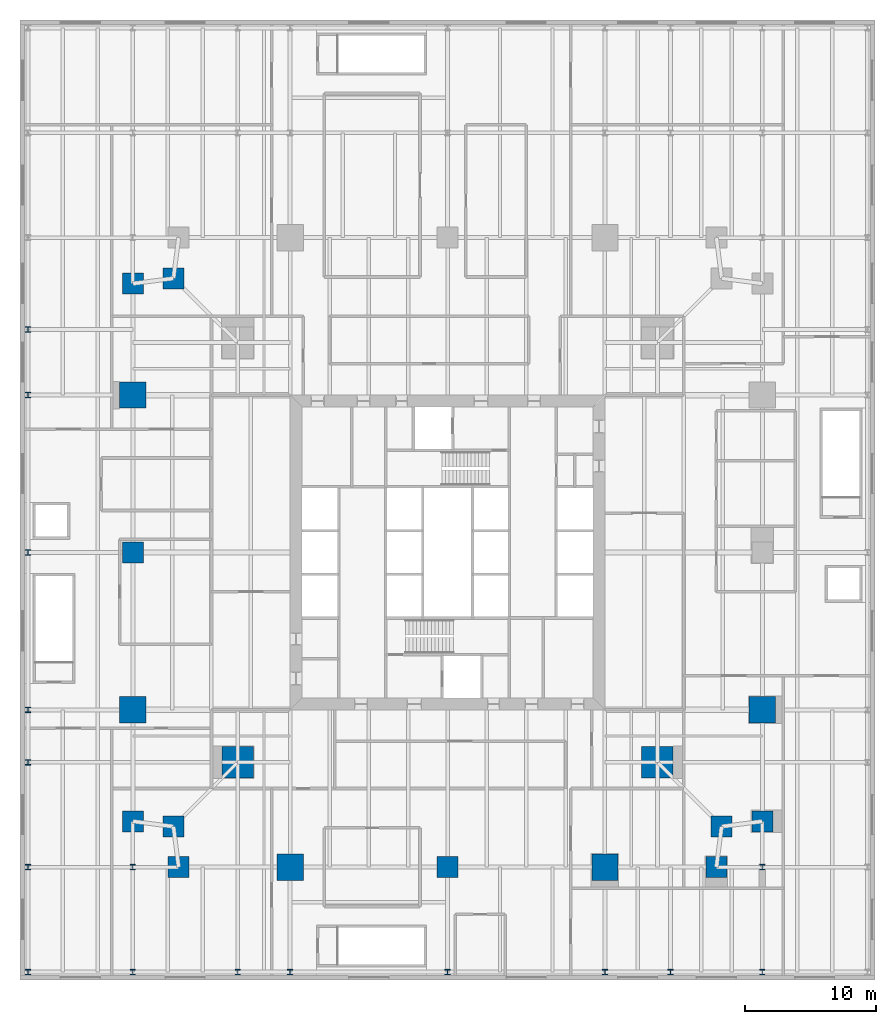
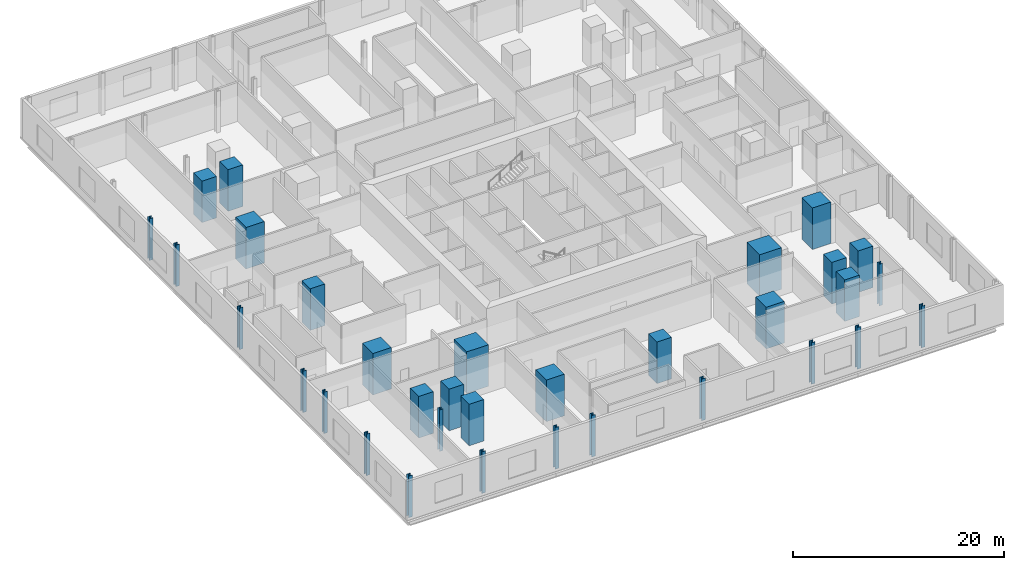
# One storey, part 1 of 15: 33 columns.
"""IFC4 building model written with IfcOpenShell, lengths in metres."""

from ifc_helpers import new_model, si_unit, direction, frame, origin, origin_2d, place, context, subcontext, project, spatial, rectangle, i_section, extrude, material, material_profile, profile_set, type_object, element, save


model = new_model("IFC4")

# Units and contexts
model_context = context("Model", 3, precision=1e-05, world=origin(), true_north=direction((0.0, 1.0)))
body_context = subcontext(model_context, "Body", "Model", "MODEL_VIEW")
ifc_project = project(units=[si_unit("LENGTHUNIT", "METRE"), si_unit("AREAUNIT", "SQUARE_METRE"), si_unit("VOLUMEUNIT", "CUBIC_METRE"), si_unit("PLANEANGLEUNIT", "RADIAN"), si_unit("MASSUNIT", "GRAM", prefix="KILO")], contexts=[model_context])

# Site, building, storey
site_placement = place(None, origin())
site = spatial("IfcSite", under=ifc_project, at=site_placement, CompositionType="ELEMENT")
building_placement = place(site_placement, origin())
building = spatial("IfcBuilding", under=site, at=building_placement, Name="Fenwick Lantern Interchange", CompositionType="ELEMENT")
storey_placement = place(building_placement, frame((0.0, 0.0, 26.199951171875)))
storey = spatial("IfcBuildingStorey", under=building, at=storey_placement, Name="L05", CompositionType="ELEMENT", Elevation=26.199951171875)

# Columns
ifc_material_1 = material(Name="Concrete f'c 70 MPa", Category="concrete")
ifc_material_profile_1 = material_profile(ifc_material_1, rectangle(XDim=2.39990234375, YDim=2.39990234375, at=origin_2d()), Name="RC2400X2400")
ifc_profile_set_1 = profile_set([ifc_material_profile_1], Name="Concrete f'c 70 MPa")
column_type_1 = type_object("IfcColumnType", Name="MEGA COLUMN RC2400X2400", PredefinedType="COLUMN", material=ifc_profile_set_1)
for number, where, z_axis, x_axis, name in (
    (1, (9.0, 9.0, 0.0), (0.0, 0.0, 1.0), (1.0, 0.0, 0.0), "L05/M1"),
    (2, (41.0, 9.0, 0.0), (0.0, 0.0, 1.0), (1.0, 0.0, 0.0), "L05/M2"),
):
    element("IfcColumn", number, at=place(storey_placement, frame(where, z_axis=z_axis, x_axis=x_axis)), inside=storey, type_object=column_type_1, Name=name, PredefinedType="COLUMN", context=body_context, shape_type="SweptSolid", body=[
        extrude(rectangle(XDim=2.39990234375, YDim=2.39990234375, at=origin_2d()), origin(), (0.0, 0.0, 1.0), 4.800048828125),
    ])
ifc_material_profile_2 = material_profile(ifc_material_1, rectangle(XDim=1.60009765625, YDim=1.60009765625, at=origin_2d()), Name="RC1600X1600")
ifc_profile_set_2 = profile_set([ifc_material_profile_2], Name="Concrete f'c 70 MPa")
column_type_2 = type_object("IfcColumnType", Name="PERIMETER COLUMN RC1600X1600", PredefinedType="COLUMN", material=ifc_profile_set_2)
for number, where, z_axis, x_axis, name in (
    (3, (4.5, 1.0, 0.0), (0.0, 0.0, 1.0), (1.0, 0.0, 0.0), "L05/CS1"),
    (4, (25.0, 1.0, 0.0), (0.0, 0.0, 1.0), (1.0, 0.0, 0.0), "L05/CS3"),
    (5, (45.5, 1.0, 0.0), (0.0, 0.0, 1.0), (1.0, 0.0, 0.0), "L05/CS5"),
    (6, (45.89990234375, 4.10009765625, 0.0), (0.0, 0.0, 1.0), (1.0, 0.0, 0.0), "L05/CSR"),
    (7, (49.0, 4.5, 0.0), (0.0, 0.0, 1.0), (1.0, 0.0, 0.0), "L05/CE1"),
    (8, (4.10009765625, 45.89990234375, 0.0), (0.0, 0.0, 1.0), (1.0, 0.0, 0.0), "L05/CNR"),
    (9, (1.0, 45.5, 0.0), (0.0, 0.0, 1.0), (1.0, 0.0, 0.0), "L05/CW1"),
    (10, (1.0, 25.0, 0.0), (0.0, 0.0, 1.0), (1.0, 0.0, 0.0), "L05/CW3"),
    (11, (1.0, 4.5, 0.0), (0.0, 0.0, 1.0), (1.0, 0.0, 0.0), "L05/CW5"),
    (12, (4.10009765625, 4.10009765625, 0.0), (0.0, 0.0, 1.0), (1.0, 0.0, 0.0), "L05/CWR"),
):
    element("IfcColumn", number, at=place(storey_placement, frame(where, z_axis=z_axis, x_axis=x_axis)), inside=storey, type_object=column_type_2, Name=name, PredefinedType="COLUMN", context=body_context, shape_type="SweptSolid", body=[
        extrude(rectangle(XDim=1.60009765625, YDim=1.60009765625, at=origin_2d()), origin(), (0.0, 0.0, 1.0), 4.800048828125),
    ])
ifc_material_profile_3 = material_profile(ifc_material_1, rectangle(XDim=2.0, YDim=2.0, at=origin_2d()), Name="RC2000X2000")
ifc_profile_set_3 = profile_set([ifc_material_profile_3], Name="Concrete f'c 70 MPa")
column_type_3 = type_object("IfcColumnType", Name="PERIMETER COLUMN RC2000X2000", PredefinedType="COLUMN", material=ifc_profile_set_3)
for number, where, z_axis, x_axis, name in (
    (13, (13.0, 1.0, 0.0), (0.0, 0.0, 1.0), (1.0, 0.0, 0.0), "L05/CS2"),
    (14, (37.0, 1.0, 0.0), (0.0, 0.0, 1.0), (1.0, 0.0, 0.0), "L05/CS4"),
    (15, (49.0, 13.0, 0.0), (0.0, 0.0, 1.0), (1.0, 0.0, 0.0), "L05/CE2"),
    (16, (1.0, 37.0, 0.0), (0.0, 0.0, 1.0), (1.0, 0.0, 0.0), "L05/CW2"),
    (17, (1.0, 13.0, 0.0), (0.0, 0.0, 1.0), (1.0, 0.0, 0.0), "L05/CW4"),
):
    element("IfcColumn", number, at=place(storey_placement, frame(where, z_axis=z_axis, x_axis=x_axis)), inside=storey, type_object=column_type_3, Name=name, PredefinedType="COLUMN", context=body_context, shape_type="SweptSolid", body=[
        extrude(rectangle(XDim=2.0, YDim=2.0, at=origin_2d()), origin(), (0.0, 0.0, 1.0), 4.800048828125),
    ])
ifc_material_2 = material(Name="Steel ASTM A992 Grade 50", Category="steel")
ifc_material_profile_4 = material_profile(ifc_material_2, i_section(OverallWidth=0.406494140625, OverallDepth=0.41650390625, WebThickness=0.030029296875, FlangeThickness=0.048095703125, at=origin_2d()), Name="W14X257")
ifc_profile_set_4 = profile_set([ifc_material_profile_4], Name="Steel ASTM A992 Grade 50")
column_type_4 = type_object("IfcColumnType", Name="PODIUM COLUMN W14X257", PredefinedType="COLUMN", material=ifc_profile_set_4)
for number, where, z_axis, x_axis, name in (
    (18, (-7.0, -7.0, 0.0), (0.0, 0.0, 1.0), (1.0, 0.0, 0.0), "L05/PB2"),
    (19, (-7.0, 1.0, 0.0), (0.0, 0.0, 1.0), (1.0, 0.0, 0.0), "L05/PC2"),
    (20, (-7.0, 9.0, 0.0), (0.0, 0.0, 1.0), (1.0, 0.0, 0.0), "L05/PD2"),
    (21, (-7.0, 13.0, 0.0), (0.0, 0.0, 1.0), (1.0, 0.0, 0.0), "L05/PE2"),
    (22, (-7.0, 25.0, 0.0), (0.0, 0.0, 1.0), (1.0, 0.0, 0.0), "L05/PF2"),
    (23, (-7.0, 37.0, 0.0), (0.0, 0.0, 1.0), (1.0, 0.0, 0.0), "L05/PG2"),
    (24, (-7.0, 42.0, 0.0), (0.0, 0.0, 1.0), (1.0, 0.0, 0.0), "L05/PH2"),
    (25, (1.0, -7.0, 0.0), (0.0, 0.0, 1.0), (1.0, 0.0, 0.0), "L05/PB3"),
    (26, (1.0, 1.0, 0.0), (0.0, 0.0, 1.0), (1.0, 0.0, 0.0), "L05/PC3"),
    (27, (9.0, -7.0, 0.0), (0.0, 0.0, 1.0), (1.0, 0.0, 0.0), "L05/PB4"),
    (28, (13.0, -7.0, 0.0), (0.0, 0.0, 1.0), (1.0, 0.0, 0.0), "L05/PB5"),
    (29, (25.0, -7.0, 0.0), (0.0, 0.0, 1.0), (1.0, 0.0, 0.0), "L05/PB6"),
    (30, (37.0, -7.0, 0.0), (0.0, 0.0, 1.0), (1.0, 0.0, 0.0), "L05/PB7"),
    (31, (42.0, -7.0, 0.0), (0.0, 0.0, 1.0), (1.0, 0.0, 0.0), "L05/PB8"),
    (32, (49.0, -7.0, 0.0), (0.0, 0.0, 1.0), (1.0, 0.0, 0.0), "L05/PB9"),
    (33, (49.0, 1.0, 0.0), (0.0, 0.0, 1.0), (1.0, 0.0, 0.0), "L05/PC9"),
):
    element("IfcColumn", number, at=place(storey_placement, frame(where, z_axis=z_axis, x_axis=x_axis)), inside=storey, type_object=column_type_4, Name=name, PredefinedType="COLUMN", context=body_context, shape_type="SweptSolid", body=[
        extrude(i_section(OverallWidth=0.406494140625, OverallDepth=0.41650390625, WebThickness=0.030029296875, FlangeThickness=0.048095703125, at=origin_2d()), origin(), (0.0, 0.0, 1.0), 4.800048828125),
    ])

save(model, "model.ifc")
